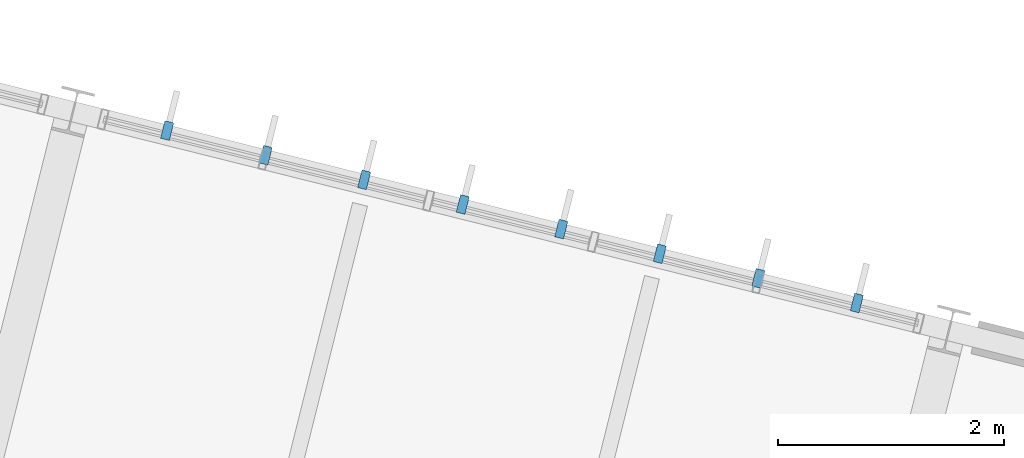
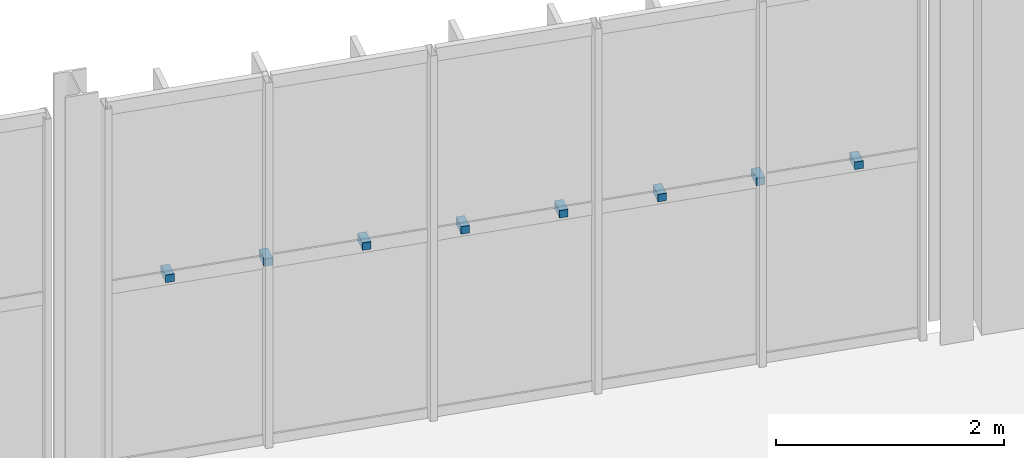
# One storey, part 54 of 61: 8 discrete accessories.
"""IFC4 building model written with IfcOpenShell, lengths in metres."""

from ifc_helpers import new_model, si_unit, derived_unit, direction, frame, origin, origin_2d, place, context, subcontext, project, spatial, rectangle, extrude, material, type_object, element, save


model = new_model("IFC4")

# Units and contexts
model_context = context("Model", 3, precision=1e-05, world=origin(), true_north=direction((0.0, 1.0)))
body_context = subcontext(model_context, "Body", "Model", "MODEL_VIEW")
ifc_project = project(units=[si_unit("LENGTHUNIT", "METRE"), si_unit("AREAUNIT", "SQUARE_METRE"), si_unit("VOLUMEUNIT", "CUBIC_METRE"), si_unit("PLANEANGLEUNIT", "RADIAN"), si_unit("MASSUNIT", "GRAM", prefix="KILO"), si_unit("THERMODYNAMICTEMPERATUREUNIT", "KELVIN"), si_unit("TIMEUNIT", "SECOND"), derived_unit("THERMALTRANSMITTANCEUNIT", [(si_unit("MASSUNIT", "GRAM", prefix="KILO"), 1), (si_unit("THERMODYNAMICTEMPERATUREUNIT", "KELVIN"), -1), (si_unit("TIMEUNIT", "SECOND"), -3)])], contexts=[model_context])

# Site, building, storey
site_placement = place(None, origin())
site = spatial("IfcSite", under=ifc_project, at=site_placement, CompositionType="ELEMENT")
building_placement = place(site_placement, origin())
building = spatial("IfcBuilding", under=site, at=building_placement, Name="Cambertide Market Hall", CompositionType="ELEMENT")
storey_placement = place(building_placement, frame((0.0, 0.0, 9.89990234375)))
storey = spatial("IfcBuildingStorey", under=building, at=storey_placement, Name="L03", CompositionType="ELEMENT", Elevation=9.89990234375)

# Discrete accessories
ifc_material = material(Name="Stainless Steel Grade 316", Category="metal")
discrete_accessory_type = type_object("IfcDiscreteAccessoryType", Name="Stainless Fin Outrigger Tie Bracket", PredefinedType="BRACKET", material=ifc_material)
for number, where, z_axis, x_axis, name in (
    (1, (161.94970703125, 114.384765625, 1.920166015625), (0.0, 0.0, 1.0), (0.970142500145, -0.242535625038, 0.0), "CW-V4N-L03-7 Fin Tie Bracket 1"),
    (2, (162.82275390625, 114.16650390625, 1.920166015625), (0.0, 0.0, 1.0), (0.970142500145, -0.242535625038, 0.0), "CW-V4N-L03-7 Fin Tie Bracket 2"),
    (3, (163.69580078125, 113.9482421875, 1.920166015625), (0.0, 0.0, 1.0), (0.970142500145, -0.242535625038, 0.0), "CW-V4N-L03-7 Fin Tie Bracket 3"),
    (4, (164.569091796875, 113.72998046875, 1.920166015625), (0.0, 0.0, 1.0), (0.970142500145, -0.242535625038, 0.0), "CW-V4N-L03-7 Fin Tie Bracket 4"),
    (5, (165.442138671875, 113.51171875, 1.920166015625), (0.0, 0.0, 1.0), (0.970142500145, -0.242535625038, 0.0), "CW-V4N-L03-7 Fin Tie Bracket 5"),
    (6, (166.315185546875, 113.29345703125, 1.920166015625), (0.0, 0.0, 1.0), (0.970142500145, -0.242535625038, 0.0), "CW-V4N-L03-7 Fin Tie Bracket 6"),
    (7, (167.1884765625, 113.0751953125, 1.920166015625), (0.0, 0.0, 1.0), (0.970142500145, -0.242535625038, 0.0), "CW-V4N-L03-7 Fin Tie Bracket 7"),
    (8, (168.0615234375, 112.85693359375, 1.920166015625), (0.0, 0.0, 1.0), (0.970142500145, -0.242535625038, 0.0), "CW-V4N-L03-7 Fin Tie Bracket 8"),
):
    element("IfcDiscreteAccessory", number, at=place(storey_placement, frame(where, z_axis=z_axis, x_axis=x_axis)), inside=storey, type_object=discrete_accessory_type, Name=name, PredefinedType="BRACKET", context=body_context, shape_type="SweptSolid", body=[
        extrude(rectangle(XDim=0.080078125, YDim=0.159912109375, at=origin_2d()), origin(), (0.0, 0.0, 1.0), 0.080078125),
    ])

save(model, "model.ifc")
